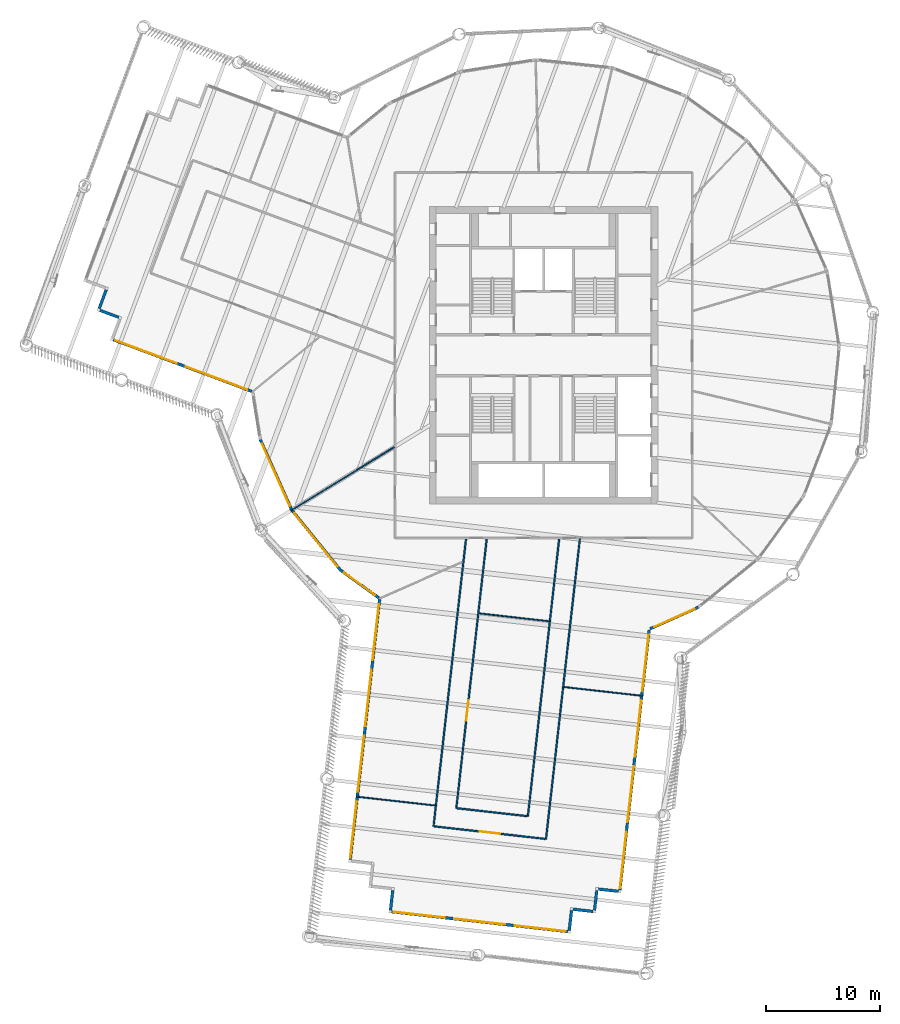
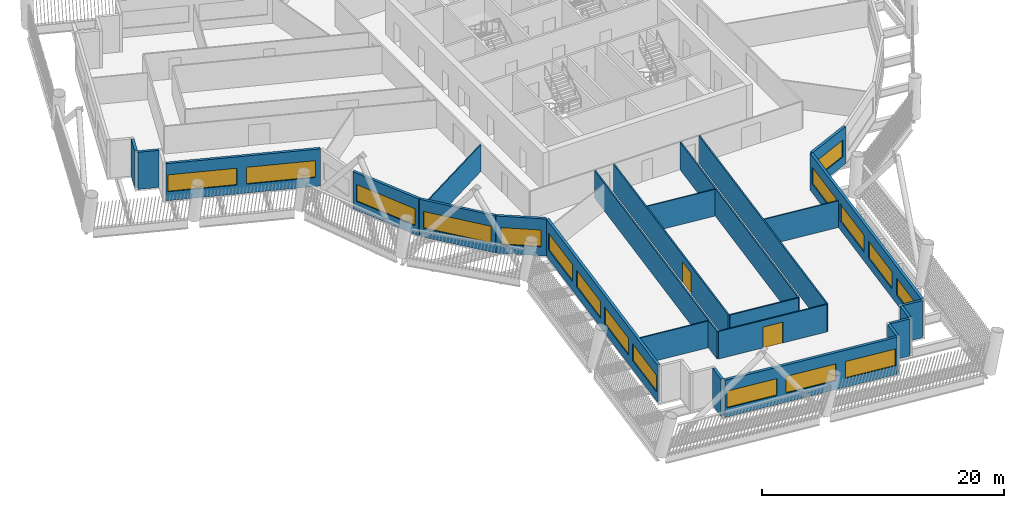
# One storey, part 3 of 22: 25 walls, 17 windows, 2 doors, 19 openings.
"""IFC4 building model written with IfcOpenShell, lengths in metres."""

import ifcopenshell
import ifcopenshell.guid

model = None  # the IFC model being written
_history = None  # IfcOwnerHistory: only IFC2X3 demands one
_inside = {}  # id of a spatial element -> (the spatial element, [elements in it])
_under = {}  # id of a project, library or spatial element -> (it, [spatial elements below it])
_declared = {}  # id of a project -> (the project, [libraries it declares])
_typed = {}  # id of a type object -> (the type object, [elements of that type])
_made_of = {}  # id of a material, layer set ... -> (it, [elements and type objects made of it])


def new_model(schema):
    """Start an empty IFC model of exactly this schema.

    Asked for "IFC4X3", IfcOpenShell would pick the latest addendum, in which some entities
    have other attributes; the version numbers below select the first issue.
    IFC2X3 requires an IfcOwnerHistory on every rooted entity: one is made here for all.
    """
    global model, _history
    if schema == "IFC4X3":
        model = ifcopenshell.file(schema_version=(4, 3, 0, 0))
    else:
        model = ifcopenshell.file(schema=schema)
    _inside.clear()
    _under.clear()
    _declared.clear()
    _typed.clear()
    _made_of.clear()
    _history = None
    if model.schema == "IFC2X3":
        org = make("IfcOrganization", Name="unknown")
        user = make(
            "IfcPersonAndOrganization",
            ThePerson=make("IfcPerson", FamilyName="unknown"),
            TheOrganization=org,
        )
        app = make(
            "IfcApplication",
            ApplicationDeveloper=org,
            Version="unknown",
            ApplicationFullName="unknown",
            ApplicationIdentifier="unknown",
        )
        _history = make(
            "IfcOwnerHistory",
            OwningUser=user,
            OwningApplication=app,
            ChangeAction="ADDED",
            CreationDate=0,
        )
    return model


def make(cls, **values):
    """One entity of the class cls with the attributes given. An attribute that is None is left unset."""
    return model.create_entity(
        cls, **{name: value for name, value in values.items() if value is not None}
    )


def rooted(cls, **values):
    """An entity with a GlobalId (a new one), such as an element, a storey or a relation."""
    return make(cls, GlobalId=ifcopenshell.guid.new(), OwnerHistory=_history, **values)


def si_unit(unit_type, name, prefix=None):
    """IfcSIUnit, for example si_unit("LENGTHUNIT", "METRE", prefix="MILLI")."""
    return make("IfcSIUnit", UnitType=unit_type, Prefix=prefix, Name=name)


def assignment(units):
    """IfcUnitAssignment: the units of a project."""
    return None if units is None else make("IfcUnitAssignment", Units=units)


def point(xyz):
    """IfcCartesianPoint."""
    return None if xyz is None else make("IfcCartesianPoint", Coordinates=xyz)


def direction(xyz):
    """IfcDirection."""
    return None if xyz is None else make("IfcDirection", DirectionRatios=xyz)


def frame(location, z_axis=None, x_axis=None):
    """IfcAxis2Placement3D, a coordinate frame: its origin and axes. An axis left out is left unset."""
    return make(
        "IfcAxis2Placement3D",
        Location=point(location),
        Axis=direction(z_axis),
        RefDirection=direction(x_axis),
    )


def frame_2d(location, x_axis=None):
    """IfcAxis2Placement2D, a coordinate frame in the plane: its origin and x axis."""
    return make(
        "IfcAxis2Placement2D", Location=point(location), RefDirection=direction(x_axis)
    )


def origin():
    """The frame at (0, 0, 0) with its axes left unset."""
    return frame((0.0, 0.0, 0.0))


def place(relative_to, where):
    """IfcLocalPlacement: puts the frame where relative to a parent placement (None: the world)."""
    return make(
        "IfcLocalPlacement", PlacementRelTo=relative_to, RelativePlacement=where
    )


def context(
    kind, dimensions, precision=None, world=None, true_north=None, identifier=None
):
    """IfcGeometricRepresentationContext, for example the 3D "Model" context."""
    return make(
        "IfcGeometricRepresentationContext",
        ContextIdentifier=identifier,
        ContextType=kind,
        CoordinateSpaceDimension=dimensions,
        Precision=precision,
        WorldCoordinateSystem=world,
        TrueNorth=true_north,
    )


def subcontext(parent, identifier, kind, view, scale=None):
    """IfcGeometricRepresentationSubContext, for example "Body" below "Model"."""
    return make(
        "IfcGeometricRepresentationSubContext",
        ContextIdentifier=identifier,
        ContextType=kind,
        ParentContext=parent,
        TargetScale=scale,
        TargetView=view,
    )


def project(units=None, contexts=None):
    """IfcProject with its units and contexts."""
    return rooted(
        "IfcProject",
        Name="project",
        RepresentationContexts=contexts,
        UnitsInContext=assignment(units),
    )


def spatial(cls, under=None, at=None, **own):
    """A site, building, storey or space (cls), placed at a placement, below another one or the project."""
    s = rooted(cls, ObjectPlacement=at, **own)
    if under is not None:
        _under.setdefault(under.id(), (under, []))[1].append(s)
    return s


def profile(cls, at=None, kind="AREA", **sizes):
    """A parametric profile (cls). Its sizes go by their IFC names, for example OverallWidth=200.0."""
    return make(cls, ProfileType=kind, Position=at, **sizes)


def rectangle(**sizes):
    """IfcRectangleProfileDef."""
    return profile("IfcRectangleProfileDef", **sizes)


def extrude(swept, where, along, depth):
    """IfcExtrudedAreaSolid: the profile swept, set in the frame where, extruded along a direction by depth."""
    return make(
        "IfcExtrudedAreaSolid",
        SweptArea=swept,
        Position=where,
        ExtrudedDirection=direction(along),
        Depth=depth,
    )


def shape(context_of_items, identifier, shape_type, items):
    """IfcShapeRepresentation: the items that make up one representation, for example the "Body"."""
    return make(
        "IfcShapeRepresentation",
        ContextOfItems=context_of_items,
        RepresentationIdentifier=identifier,
        RepresentationType=shape_type,
        Items=items,
    )


def material(Name=None, Category=None):
    """IfcMaterial."""
    return make("IfcMaterial", Name=Name, Category=Category)


def layer(
    of_material, thickness, ventilated=None, Name=None, Category=None, Priority=None
):
    """IfcMaterialLayer: one layer of a wall or slab, of a material (None: an air gap)."""
    return make(
        "IfcMaterialLayer",
        Material=of_material,
        LayerThickness=thickness,
        IsVentilated=ventilated,
        Name=Name,
        Category=Category,
        Priority=Priority,
    )


def layer_set(layers, Name=None):
    """IfcMaterialLayerSet."""
    return make("IfcMaterialLayerSet", MaterialLayers=layers, LayerSetName=Name)


def made_of(thing, what):
    """Note that an element or type object is made of a material, layer set ...; save() writes the relation."""
    if what is not None:
        _made_of.setdefault(what.id(), (what, []))[1].append(thing)
    return thing


def type_object(cls, material=None, **own):
    """A type object (cls), such as IfcWallType, which elements share."""
    return made_of(rooted(cls, **own), material)


def element(
    cls,
    number,
    at=None,
    inside=None,
    cuts=None,
    type_object=None,
    material=None,
    context=None,
    identifier="Body",
    shape_type=None,
    held_by="IfcProductDefinitionShape",
    body=None,
    shapes=None,
    **own,
):
    """One element of the class cls, such as IfcWall. Its Tag is "e" and its number.

    at: its placement. inside: the storey or other place that contains it. cuts: it is an
    opening in that element (IfcRelVoidsElement). A single representation is given by context,
    identifier, shape_type and body (its items); several are given by shapes. held_by: the class
    of the entity that holds the representations. save() writes the other relations.
    """
    e = rooted(cls, Tag="e%d" % number, ObjectPlacement=at, **own)
    if body is not None:
        shapes = [shape(context, identifier, shape_type, body)]
    if shapes is not None:
        e.Representation = make(held_by, Representations=shapes)
    if inside is not None:
        _inside.setdefault(inside.id(), (inside, []))[1].append(e)
    if cuts is not None:
        rooted(
            "IfcRelVoidsElement", RelatingBuildingElement=cuts, RelatedOpeningElement=e
        )
    if type_object is not None:
        _typed.setdefault(type_object.id(), (type_object, []))[1].append(e)
    return made_of(e, material)


def fill(opening, filler):
    """IfcRelFillsElement: the door or window that sits in an opening."""
    return rooted(
        "IfcRelFillsElement",
        RelatingOpeningElement=opening,
        RelatedBuildingElement=filler,
    )


def aggregate(whole, parts):
    """IfcRelAggregates: a whole, such as a stair, and the parts it consists of."""
    return rooted("IfcRelAggregates", RelatingObject=whole, RelatedObjects=parts)


def save(model, path):
    """Write the relations noted so far, then the file.

    IfcRelAggregates (storeys below a building ...), IfcRelContainedInSpatialStructure (elements
    in a storey), IfcRelDefinesByType, IfcRelAssociatesMaterial and IfcRelDeclares: one each for
    every whole, place, type object, material and project.
    """
    for whole, parts in _under.values():
        aggregate(whole, parts)
    for where, things in _inside.values():
        rooted(
            "IfcRelContainedInSpatialStructure",
            RelatedElements=things,
            RelatingStructure=where,
        )
    for kind, things in _typed.values():
        rooted("IfcRelDefinesByType", RelatedObjects=things, RelatingType=kind)
    for what, things in _made_of.values():
        rooted("IfcRelAssociatesMaterial", RelatedObjects=things, RelatingMaterial=what)
    for by, libraries in _declared.values():
        rooted("IfcRelDeclares", RelatingContext=by, RelatedDefinitions=libraries)
    model.write(path)


model = new_model("IFC4")

# Units and contexts
model_context = context("Model", 3, precision=1e-05, world=origin(), true_north=direction((0.0, 1.0)))
body_context = subcontext(model_context, "Body", "Model", "MODEL_VIEW")
ifc_project = project(units=[si_unit("LENGTHUNIT", "METRE"), si_unit("AREAUNIT", "SQUARE_METRE"), si_unit("VOLUMEUNIT", "CUBIC_METRE"), si_unit("PLANEANGLEUNIT", "RADIAN"), si_unit("MASSUNIT", "GRAM", prefix="KILO")], contexts=[model_context])

# Site, building, storey
site_placement = place(None, origin())
site = spatial("IfcSite", under=ifc_project, at=site_placement, CompositionType="ELEMENT")
building_placement = place(site_placement, origin())
building = spatial("IfcBuilding", under=site, at=building_placement, Name="Tarsis Ring Headquarters", CompositionType="ELEMENT")
storey_placement = place(building_placement, frame((0.0, 0.0, 200.39990234375)))
storey = spatial("IfcBuildingStorey", under=building, at=storey_placement, Name="L46", CompositionType="ELEMENT", Elevation=200.39990234375)

# Walls
ifc_material_1 = material(Name="Gypsum board on steel studs", Category="steel")
ifc_layer_1 = layer(ifc_material_1, 0.10009765625)
ifc_layer_set_1 = layer_set([ifc_layer_1], Name="FL partition 100 unrated")
wall_type_1 = type_object("IfcWallType", Name="FL partition 100 unrated", PredefinedType="PARTITIONING", material=ifc_layer_set_1)
wall_1_placement = place(storey_placement, frame((-22.110107421875, -13.580810546875, 0.0), z_axis=(0.0, 0.0, 1.0), x_axis=(0.852098434512, 0.52338156053, 0.0)))
element("IfcWall", 1, at=wall_1_placement, inside=storey, type_object=wall_type_1, Name="Partition PW3", PredefinedType="PARTITIONING", context=body_context, shape_type="SweptSolid", body=[
    extrude(rectangle(XDim=10.601318359375, YDim=0.10009765625, at=frame_2d((5.30078125, 0.0))), origin(), (0.0, 0.0, 1.0), 2.7001953125),
])
wall_2_placement = place(storey_placement, frame((1.77587890625, -29.022216796875, 0.0), z_axis=(0.0, 0.0, 1.0), x_axis=(0.99368932109, -0.112167433557, 0.0)))
element("IfcWall", 2, at=wall_2_placement, inside=storey, type_object=wall_type_1, Name="Partition PW3", PredefinedType="PARTITIONING", context=body_context, shape_type="SweptSolid", body=[
    extrude(rectangle(XDim=6.93017578125, YDim=0.10009765625, at=frame_2d((3.465087890625, 0.0))), origin(), (0.0, 0.0, 1.0), 2.7001953125),
])
wall_3_placement = place(storey_placement, frame((-16.384521484375, -38.615966796875, 0.0), z_axis=(0.0, 0.0, 1.0), x_axis=(0.993688877839, -0.112171360244, 0.0)))
element("IfcWall", 3, at=wall_3_placement, inside=storey, type_object=wall_type_1, Name="Partition PW3", PredefinedType="PARTITIONING", context=body_context, shape_type="SweptSolid", body=[
    extrude(rectangle(XDim=6.929931640625, YDim=0.10009765625, at=frame_2d((3.46484375, 0.0))), origin(), (0.0, 0.0, 1.0), 2.7001953125),
])
wall_4_placement = place(storey_placement, frame((-5.648193359375, -22.5791015625, 0.0), z_axis=(0.0, 0.0, 1.0), x_axis=(0.993689859508, -0.112162663625, 0.0)))
element("IfcWall", 4, at=wall_4_placement, inside=storey, type_object=wall_type_1, Name="Partition PW3", PredefinedType="PARTITIONING", context=body_context, shape_type="SweptSolid", body=[
    extrude(rectangle(XDim=6.159912109375, YDim=0.10009765625, at=frame_2d((3.080078125, 0.0))), origin(), (0.0, 0.0, 1.0), 2.7001953125),
])
ifc_layer_2 = layer(ifc_material_1, 0.125)
ifc_layer_set_2 = layer_set([ifc_layer_2], Name="FL partition 125 EI 60 H2770")
wall_type_2 = type_object("IfcWallType", Name="FL partition 125 EI 60 H2770", PredefinedType="PARTITIONING", material=ifc_layer_set_2)
wall_5_placement = place(storey_placement, frame((0.20458984375, -42.320068359375, 0.0), z_axis=(0.0, 0.0, 1.0), x_axis=(0.112156233288, 0.99369058531, 0.0)))
element("IfcWall", 5, at=wall_5_placement, inside=storey, type_object=wall_type_2, Name="Partition PW1", PredefinedType="PARTITIONING", context=body_context, shape_type="SweptSolid", body=[
    extrude(rectangle(XDim=26.4873046875, YDim=0.125, at=frame_2d((13.24365234375, 0.0))), origin(), (0.0, 0.0, 1.0), 2.77001953125),
])
wall_6_placement = place(storey_placement, frame((-9.633056640625, -41.209716796875, 0.0), z_axis=(0.0, 0.0, 1.0), x_axis=(0.112160929095, 0.993690055291, 0.0)))
element("IfcWall", 6, at=wall_6_placement, inside=storey, type_object=wall_type_2, Name="Partition PW1", PredefinedType="PARTITIONING", context=body_context, shape_type="SweptSolid", body=[
    extrude(rectangle(XDim=25.2998046875, YDim=0.125, at=frame_2d((12.64990234375, 0.0))), origin(), (0.0, 0.0, 1.0), 2.77001953125),
])
wall_7_placement = place(storey_placement, frame((-1.382080078125, -40.32958984375, 0.0), z_axis=(0.0, 0.0, 1.0), x_axis=(0.11216001785, 0.993690158146, 0.0)))
element("IfcWall", 7, at=wall_7_placement, inside=storey, type_object=wall_type_2, Name="Partition PW1", PredefinedType="PARTITIONING", context=body_context, shape_type="SweptSolid", body=[
    extrude(rectangle(XDim=24.4140625, YDim=0.125, at=frame_2d((12.20703125, 0.0))), origin(), (0.0, 0.0, 1.0), 2.77001953125),
])

# Wall, opening, door
wall_8_placement = place(storey_placement, frame((-7.642333984375, -39.622802734375, 0.0), z_axis=(0.0, 0.0, 1.0), x_axis=(0.112157628672, 0.993690427815, 0.0)))
wall_8 = element("IfcWall", 8, at=wall_8_placement, inside=storey, type_object=wall_type_2, Name="Partition PW1", PredefinedType="PARTITIONING", context=body_context, shape_type="SweptSolid", body=[
    extrude(rectangle(XDim=23.702880859375, YDim=0.125, at=frame_2d((11.8515625, 0.0))), origin(), (0.0, 0.0, 1.0), 2.77001953125),
])
opening_1_placement = place(wall_8_placement, frame((7.67822265625, 0.0, 0.0)))
opening_1 = element("IfcOpeningElement", 9, at=opening_1_placement, cuts=wall_8, Name="Opening D46.16", PredefinedType="OPENING", context=body_context, shape_type="SweptSolid", body=[
    extrude(rectangle(XDim=1.800048828125, YDim=2.10009765625, at=frame_2d((0.89990234375, 1.050048828125))), frame((0.0, 0.072509765625, 0.0), z_axis=(0.0, -1.0, 0.0), x_axis=(1.0, 0.0, 0.0)), (0.0, 0.0, 1.0), 0.14501953125),
])
ifc_material_2 = material(Name="Fire-rated timber door leaf in steel frame", Category="steel")
door_type = type_object("IfcDoorType", Name="FL door FD60-1800", OperationType="DOUBLE_DOOR_SINGLE_SWING", PredefinedType="DOOR", material=ifc_material_2)
door_1_placement = place(opening_1_placement, origin())
door_1 = element("IfcDoor", 10, at=door_1_placement, inside=storey, type_object=door_type, Name="Door D46.16", OperationType="DOUBLE_DOOR_SINGLE_SWING", OverallHeight=2.10009765625, OverallWidth=1.800048828125, PredefinedType="DOOR", context=body_context, shape_type="SweptSolid", body=[
    extrude(rectangle(XDim=1.800048828125, YDim=2.10009765625, at=frame_2d((0.89990234375, 1.050048828125))), frame((0.0, 0.02490234375, 0.0), z_axis=(0.0, -1.0, 0.0), x_axis=(1.0, 0.0, 0.0)), (0.0, 0.0, 1.0), 0.050048828125),
])
fill(opening_1, door_1)

wall_9_placement = place(storey_placement, frame((-9.5732421875, -41.21630859375, 0.0), z_axis=(0.0, 0.0, 1.0), x_axis=(0.993690135159, -0.112160221506, 0.0)))
wall_9 = element("IfcWall", 11, at=wall_9_placement, inside=storey, type_object=wall_type_2, Name="Partition PW1", PredefinedType="PARTITIONING", context=body_context, shape_type="SweptSolid", body=[
    extrude(rectangle(XDim=9.780029296875, YDim=0.125, at=frame_2d((4.89013671875, 0.0))), origin(), (0.0, 0.0, 1.0), 2.77001953125),
])
opening_2_placement = place(wall_9_placement, frame((3.989990234375, 0.0, 0.0)))
opening_2 = element("IfcOpeningElement", 12, at=opening_2_placement, cuts=wall_9, Name="Opening D46.11", PredefinedType="OPENING", context=body_context, shape_type="SweptSolid", body=[
    extrude(rectangle(XDim=1.800048828125, YDim=2.10009765625, at=frame_2d((0.89990234375, 1.050048828125))), frame((0.0, 0.072509765625, 0.0), z_axis=(0.0, -1.0, 0.0), x_axis=(1.0, 0.0, 0.0)), (0.0, 0.0, 1.0), 0.14501953125),
])
door_2_placement = place(opening_2_placement, origin())
door_2 = element("IfcDoor", 13, at=door_2_placement, inside=storey, type_object=door_type, Name="Door D46.11", OperationType="DOUBLE_DOOR_SINGLE_SWING", OverallHeight=2.10009765625, OverallWidth=1.800048828125, PredefinedType="DOOR", context=body_context, shape_type="SweptSolid", body=[
    extrude(rectangle(XDim=1.800048828125, YDim=2.10009765625, at=frame_2d((0.89990234375, 1.050048828125))), frame((0.0, 0.02490234375, 0.0), z_axis=(0.0, -1.0, 0.0), x_axis=(1.0, 0.0, 0.0)), (0.0, 0.0, 1.0), 0.050048828125),
])
fill(opening_2, door_2)

# Wall
wall_10_placement = place(storey_placement, frame((-7.582763671875, -39.629638671875, 0.0), z_axis=(0.0, 0.0, 1.0), x_axis=(0.993690488559, -0.112157090487, 0.0)))
element("IfcWall", 14, at=wall_10_placement, inside=storey, type_object=wall_type_2, Name="Partition PW1", PredefinedType="PARTITIONING", context=body_context, shape_type="SweptSolid", body=[
    extrude(rectangle(XDim=6.179931640625, YDim=0.125, at=frame_2d((3.08984375, 0.0))), origin(), (0.0, 0.0, 1.0), 2.77001953125),
])

# Wall, openings, windows
ifc_material_3 = material(Name="Terracotta clad insulated panel wall", Category="masonry")
ifc_layer_3 = layer(ifc_material_3, 0.25)
ifc_layer_set_3 = layer_set([ifc_layer_3], Name="Facade wall terracotta panel 250")
wall_type_3 = type_object("IfcWallType", Name="Facade wall terracotta panel 250", PredefinedType="STANDARD", material=ifc_layer_set_3)
wall_11_placement = place(storey_placement, frame((-37.646240234375, 1.357421875, 0.0), z_axis=(0.0, 0.0, 1.0), x_axis=(0.937038477855, -0.349226131637, 0.0)))
wall_11 = element("IfcWall", 15, at=wall_11_placement, inside=storey, type_object=wall_type_3, Name="External wall L46-01", PredefinedType="STANDARD", context=body_context, shape_type="SweptSolid", body=[
    extrude(rectangle(XDim=12.921875, YDim=0.25, at=frame_2d((6.4609375, 0.0))), origin(), (0.0, 0.0, 1.0), 3.739990234375),
])
opening_3_placement = place(wall_11_placement, frame((0.16796875, 0.0, 0.89990234375)))
opening_3 = element("IfcOpeningElement", 16, at=opening_3_placement, cuts=wall_11, Name="Opening WN06", PredefinedType="OPENING", context=body_context, shape_type="SweptSolid", body=[
    extrude(rectangle(XDim=5.75, YDim=1.699951171875, at=frame_2d((2.875, 0.85009765625))), frame((0.0, 0.135009765625, 0.0), z_axis=(0.0, -1.0, 0.0), x_axis=(1.0, 0.0, 0.0)), (0.0, 0.0, 1.0), 0.27001953125),
])
opening_4_placement = place(wall_11_placement, frame((6.75390625, 0.0, 0.89990234375)))
opening_4 = element("IfcOpeningElement", 17, at=opening_4_placement, cuts=wall_11, Name="Opening WN06", PredefinedType="OPENING", context=body_context, shape_type="SweptSolid", body=[
    extrude(rectangle(XDim=5.75, YDim=1.699951171875, at=frame_2d((2.875, 0.85009765625))), frame((0.0, 0.135009765625, 0.0), z_axis=(0.0, -1.0, 0.0), x_axis=(1.0, 0.0, 0.0)), (0.0, 0.0, 1.0), 0.27001953125),
])
ifc_material_4 = material(Name="Aluminium framed double glazing", Category="aluminium")
window_type_1 = type_object("IfcWindowType", Name="Facade window 5750 x 1700", PartitioningType="SINGLE_PANEL", PredefinedType="WINDOW", material=ifc_material_4)
window_1_placement = place(opening_3_placement, origin())
window_1 = element("IfcWindow", 18, at=window_1_placement, inside=storey, type_object=window_type_1, Name="Window L46-01.1", OverallHeight=1.699951171875, OverallWidth=5.75, PartitioningType="SINGLE_PANEL", PredefinedType="WINDOW", context=body_context, shape_type="SweptSolid", body=[
    extrude(rectangle(XDim=5.75, YDim=1.699951171875, at=frame_2d((2.875, 0.85009765625))), frame((0.0, 0.030029296875, 0.0), z_axis=(0.0, -1.0, 0.0), x_axis=(1.0, 0.0, 0.0)), (0.0, 0.0, 1.0), 0.06005859375),
])
fill(opening_3, window_1)
window_2_placement = place(opening_4_placement, origin())
window_2 = element("IfcWindow", 19, at=window_2_placement, inside=storey, type_object=window_type_1, Name="Window L46-01.2", OverallHeight=1.699951171875, OverallWidth=5.75, PartitioningType="SINGLE_PANEL", PredefinedType="WINDOW", context=body_context, shape_type="SweptSolid", body=[
    extrude(rectangle(XDim=5.75, YDim=1.699951171875, at=frame_2d((2.875, 0.85009765625))), frame((0.0, 0.030029296875, 0.0), z_axis=(0.0, -1.0, 0.0), x_axis=(1.0, 0.0, 0.0)), (0.0, 0.0, 1.0), 0.06005859375),
])
fill(opening_4, window_2)

# Wall, opening, window
wall_12_placement = place(storey_placement, frame((-24.7939453125, -7.3896484375, 0.0), z_axis=(0.0, 0.0, 1.0), x_axis=(0.407688157678, -0.913121222012, 0.0)))
wall_12 = element("IfcWall", 20, at=wall_12_placement, inside=storey, type_object=wall_type_3, Name="External wall L46-03", PredefinedType="STANDARD", context=body_context, shape_type="SweptSolid", body=[
    extrude(rectangle(XDim=6.721435546875, YDim=0.25, at=frame_2d((3.36083984375, 0.0))), origin(), (0.0, 0.0, 1.0), 3.739990234375),
])
opening_5_placement = place(wall_12_placement, frame((0.3857421875, 0.0, 0.89990234375)))
opening_5 = element("IfcOpeningElement", 21, at=opening_5_placement, cuts=wall_12, Name="Opening WN07", PredefinedType="OPENING", context=body_context, shape_type="SweptSolid", body=[
    extrude(rectangle(XDim=5.949951171875, YDim=1.699951171875, at=frame_2d((2.97509765625, 0.85009765625))), frame((0.0, 0.135009765625, 0.0), z_axis=(0.0, -1.0, 0.0), x_axis=(1.0, 0.0, 0.0)), (0.0, 0.0, 1.0), 0.27001953125),
])
window_type_2 = type_object("IfcWindowType", Name="Facade window 5950 x 1700", PartitioningType="SINGLE_PANEL", PredefinedType="WINDOW", material=ifc_material_4)
window_3_placement = place(opening_5_placement, origin())
window_3 = element("IfcWindow", 22, at=window_3_placement, inside=storey, type_object=window_type_2, Name="Window L46-03.1", OverallHeight=1.699951171875, OverallWidth=5.949951171875, PartitioningType="SINGLE_PANEL", PredefinedType="WINDOW", context=body_context, shape_type="SweptSolid", body=[
    extrude(rectangle(XDim=5.949951171875, YDim=1.699951171875, at=frame_2d((2.97509765625, 0.85009765625))), frame((0.0, 0.030029296875, 0.0), z_axis=(0.0, -1.0, 0.0), x_axis=(1.0, 0.0, 0.0)), (0.0, 0.0, 1.0), 0.06005859375),
])
fill(opening_5, window_3)

wall_13_placement = place(storey_placement, frame((-22.03662109375, -13.554931640625, 0.0), z_axis=(0.0, 0.0, 1.0), x_axis=(0.630141277594, -0.776480502184, 0.0)))
wall_13 = element("IfcWall", 23, at=wall_13_placement, inside=storey, type_object=wall_type_3, Name="External wall L46-04", PredefinedType="STANDARD", context=body_context, shape_type="SweptSolid", body=[
    extrude(rectangle(XDim=6.7216796875, YDim=0.25, at=frame_2d((3.36083984375, 0.0))), origin(), (0.0, 0.0, 1.0), 3.739990234375),
])
opening_6_placement = place(wall_13_placement, frame((0.3857421875, 0.0, 0.89990234375)))
opening_6 = element("IfcOpeningElement", 24, at=opening_6_placement, cuts=wall_13, Name="Opening WN07", PredefinedType="OPENING", context=body_context, shape_type="SweptSolid", body=[
    extrude(rectangle(XDim=5.949951171875, YDim=1.699951171875, at=frame_2d((2.97509765625, 0.85009765625))), frame((0.0, 0.135009765625, 0.0), z_axis=(0.0, -1.0, 0.0), x_axis=(1.0, 0.0, 0.0)), (0.0, 0.0, 1.0), 0.27001953125),
])
window_4_placement = place(opening_6_placement, origin())
window_4 = element("IfcWindow", 25, at=window_4_placement, inside=storey, type_object=window_type_2, Name="Window L46-04.1", OverallHeight=1.699951171875, OverallWidth=5.949951171875, PartitioningType="SINGLE_PANEL", PredefinedType="WINDOW", context=body_context, shape_type="SweptSolid", body=[
    extrude(rectangle(XDim=5.949951171875, YDim=1.699951171875, at=frame_2d((2.97509765625, 0.85009765625))), frame((0.0, 0.030029296875, 0.0), z_axis=(0.0, -1.0, 0.0), x_axis=(1.0, 0.0, 0.0)), (0.0, 0.0, 1.0), 0.06005859375),
])
fill(opening_6, window_4)

wall_14_placement = place(storey_placement, frame((-17.77734375, -18.796630859375, 0.0), z_axis=(0.0, 0.0, 1.0), x_axis=(0.809626489321, -0.586945438512, 0.0)))
wall_14 = element("IfcWall", 26, at=wall_14_placement, inside=storey, type_object=wall_type_3, Name="External wall L46-05", PredefinedType="STANDARD", context=body_context, shape_type="SweptSolid", body=[
    extrude(rectangle(XDim=4.157470703125, YDim=0.25, at=frame_2d((2.07861328125, 0.0))), origin(), (0.0, 0.0, 1.0), 3.739990234375),
])
opening_7_placement = place(wall_14_placement, frame((0.38720703125, 0.0, 0.89990234375)))
opening_7 = element("IfcOpeningElement", 27, at=opening_7_placement, cuts=wall_14, Name="Opening WN01", PredefinedType="OPENING", context=body_context, shape_type="SweptSolid", body=[
    extrude(rectangle(XDim=3.35009765625, YDim=1.699951171875, at=frame_2d((1.675048828125, 0.85009765625))), frame((0.0, 0.135009765625, 0.0), z_axis=(0.0, -1.0, 0.0), x_axis=(1.0, 0.0, 0.0)), (0.0, 0.0, 1.0), 0.27001953125),
])
window_type_3 = type_object("IfcWindowType", Name="Facade window 3350 x 1700", PartitioningType="SINGLE_PANEL", PredefinedType="WINDOW", material=ifc_material_4)
window_5_placement = place(opening_7_placement, origin())
window_5 = element("IfcWindow", 28, at=window_5_placement, inside=storey, type_object=window_type_3, Name="Window L46-05.1", OverallHeight=1.699951171875, OverallWidth=3.35009765625, PartitioningType="SINGLE_PANEL", PredefinedType="WINDOW", context=body_context, shape_type="SweptSolid", body=[
    extrude(rectangle(XDim=3.35009765625, YDim=1.699951171875, at=frame_2d((1.675048828125, 0.85009765625))), frame((0.0, 0.030029296875, 0.0), z_axis=(0.0, -1.0, 0.0), x_axis=(1.0, 0.0, 0.0)), (0.0, 0.0, 1.0), 0.06005859375),
])
fill(opening_7, window_5)

# Wall, openings, windows
wall_15_placement = place(storey_placement, frame((-14.360595703125, -21.35205078125, 0.0), z_axis=(0.0, 0.0, 1.0), x_axis=(-0.112154475566, -0.9936907837, 0.0)))
wall_15 = element("IfcWall", 29, at=wall_15_placement, inside=storey, type_object=wall_type_3, Name="External wall L46-06", PredefinedType="STANDARD", context=body_context, shape_type="SweptSolid", body=[
    extrude(rectangle(XDim=22.921875, YDim=0.25, at=frame_2d((11.4609375, 0.0))), origin(), (0.0, 0.0, 1.0), 3.739990234375),
])
opening_8_placement = place(wall_15_placement, frame((0.42138671875, 0.0, 0.89990234375)))
opening_8 = element("IfcOpeningElement", 30, at=opening_8_placement, cuts=wall_15, Name="Opening WN05", PredefinedType="OPENING", context=body_context, shape_type="SweptSolid", body=[
    extrude(rectangle(XDim=4.949951171875, YDim=1.699951171875, at=frame_2d((2.47509765625, 0.85009765625))), frame((0.0, 0.135009765625, 0.0), z_axis=(0.0, -1.0, 0.0), x_axis=(1.0, 0.0, 0.0)), (0.0, 0.0, 1.0), 0.27001953125),
])
opening_9_placement = place(wall_15_placement, frame((6.214599609375, 0.0, 0.89990234375)))
opening_9 = element("IfcOpeningElement", 31, at=opening_9_placement, cuts=wall_15, Name="Opening WN05", PredefinedType="OPENING", context=body_context, shape_type="SweptSolid", body=[
    extrude(rectangle(XDim=4.949951171875, YDim=1.699951171875, at=frame_2d((2.47509765625, 0.85009765625))), frame((0.0, 0.135009765625, 0.0), z_axis=(0.0, -1.0, 0.0), x_axis=(1.0, 0.0, 0.0)), (0.0, 0.0, 1.0), 0.27001953125),
])
opening_10_placement = place(wall_15_placement, frame((12.007568359375, 0.0, 0.89990234375)))
opening_10 = element("IfcOpeningElement", 32, at=opening_10_placement, cuts=wall_15, Name="Opening WN05", PredefinedType="OPENING", context=body_context, shape_type="SweptSolid", body=[
    extrude(rectangle(XDim=4.949951171875, YDim=1.699951171875, at=frame_2d((2.47509765625, 0.85009765625))), frame((0.0, 0.135009765625, 0.0), z_axis=(0.0, -1.0, 0.0), x_axis=(1.0, 0.0, 0.0)), (0.0, 0.0, 1.0), 0.27001953125),
])
opening_11_placement = place(wall_15_placement, frame((17.800537109375, 0.0, 0.89990234375)))
opening_11 = element("IfcOpeningElement", 33, at=opening_11_placement, cuts=wall_15, Name="Opening WN05", PredefinedType="OPENING", context=body_context, shape_type="SweptSolid", body=[
    extrude(rectangle(XDim=4.949951171875, YDim=1.699951171875, at=frame_2d((2.47509765625, 0.85009765625))), frame((0.0, 0.135009765625, 0.0), z_axis=(0.0, -1.0, 0.0), x_axis=(1.0, 0.0, 0.0)), (0.0, 0.0, 1.0), 0.27001953125),
])
window_type_4 = type_object("IfcWindowType", Name="Facade window 4950 x 1700", PartitioningType="SINGLE_PANEL", PredefinedType="WINDOW", material=ifc_material_4)
window_6_placement = place(opening_8_placement, origin())
window_6 = element("IfcWindow", 34, at=window_6_placement, inside=storey, type_object=window_type_4, Name="Window L46-06.1", OverallHeight=1.699951171875, OverallWidth=4.949951171875, PartitioningType="SINGLE_PANEL", PredefinedType="WINDOW", context=body_context, shape_type="SweptSolid", body=[
    extrude(rectangle(XDim=4.949951171875, YDim=1.699951171875, at=frame_2d((2.47509765625, 0.85009765625))), frame((0.0, 0.030029296875, 0.0), z_axis=(0.0, -1.0, 0.0), x_axis=(1.0, 0.0, 0.0)), (0.0, 0.0, 1.0), 0.06005859375),
])
fill(opening_8, window_6)
window_7_placement = place(opening_9_placement, origin())
window_7 = element("IfcWindow", 35, at=window_7_placement, inside=storey, type_object=window_type_4, Name="Window L46-06.2", OverallHeight=1.699951171875, OverallWidth=4.949951171875, PartitioningType="SINGLE_PANEL", PredefinedType="WINDOW", context=body_context, shape_type="SweptSolid", body=[
    extrude(rectangle(XDim=4.949951171875, YDim=1.699951171875, at=frame_2d((2.47509765625, 0.85009765625))), frame((0.0, 0.030029296875, 0.0), z_axis=(0.0, -1.0, 0.0), x_axis=(1.0, 0.0, 0.0)), (0.0, 0.0, 1.0), 0.06005859375),
])
fill(opening_9, window_7)
window_8_placement = place(opening_10_placement, origin())
window_8 = element("IfcWindow", 36, at=window_8_placement, inside=storey, type_object=window_type_4, Name="Window L46-06.3", OverallHeight=1.699951171875, OverallWidth=4.949951171875, PartitioningType="SINGLE_PANEL", PredefinedType="WINDOW", context=body_context, shape_type="SweptSolid", body=[
    extrude(rectangle(XDim=4.949951171875, YDim=1.699951171875, at=frame_2d((2.47509765625, 0.85009765625))), frame((0.0, 0.030029296875, 0.0), z_axis=(0.0, -1.0, 0.0), x_axis=(1.0, 0.0, 0.0)), (0.0, 0.0, 1.0), 0.06005859375),
])
fill(opening_10, window_8)
window_9_placement = place(opening_11_placement, origin())
window_9 = element("IfcWindow", 37, at=window_9_placement, inside=storey, type_object=window_type_4, Name="Window L46-06.4", OverallHeight=1.699951171875, OverallWidth=4.949951171875, PartitioningType="SINGLE_PANEL", PredefinedType="WINDOW", context=body_context, shape_type="SweptSolid", body=[
    extrude(rectangle(XDim=4.949951171875, YDim=1.699951171875, at=frame_2d((2.47509765625, 0.85009765625))), frame((0.0, 0.030029296875, 0.0), z_axis=(0.0, -1.0, 0.0), x_axis=(1.0, 0.0, 0.0)), (0.0, 0.0, 1.0), 0.06005859375),
])
fill(opening_11, window_9)

# Wall
wall_16_placement = place(storey_placement, frame((-13.209228515625, -46.813720703125, 0.0), z_axis=(0.0, 0.0, 1.0), x_axis=(-0.112161553806, -0.993689984778, 0.0)))
element("IfcWall", 38, at=wall_16_placement, inside=storey, type_object=wall_type_3, Name="External wall L46-10", PredefinedType="STANDARD", context=body_context, shape_type="SweptSolid", body=[
    extrude(rectangle(XDim=1.75, YDim=0.25, at=frame_2d((0.875, 0.0))), origin(), (0.0, 0.0, 1.0), 3.739990234375),
])

# Wall, openings, windows
wall_17_placement = place(storey_placement, frame((-13.295166015625, -48.69091796875, 0.0), z_axis=(0.0, 0.0, 1.0), x_axis=(0.993689754338, -0.112163595363, 0.0)))
wall_17 = element("IfcWall", 39, at=wall_17_placement, inside=storey, type_object=wall_type_3, Name="External wall L46-11", PredefinedType="STANDARD", context=body_context, shape_type="SweptSolid", body=[
    extrude(rectangle(XDim=15.5, YDim=0.25, at=frame_2d((7.75, 0.0))), origin(), (0.0, 0.0, 1.0), 3.739990234375),
])
opening_12_placement = place(wall_17_placement, frame((0.166748046875, 0.0, 0.89990234375)))
opening_12 = element("IfcOpeningElement", 40, at=opening_12_placement, cuts=wall_17, Name="Opening WN04", PredefinedType="OPENING", context=body_context, shape_type="SweptSolid", body=[
    extrude(rectangle(XDim=4.5, YDim=1.699951171875, at=frame_2d((2.25, 0.85009765625))), frame((0.0, 0.135009765625, 0.0), z_axis=(0.0, -1.0, 0.0), x_axis=(1.0, 0.0, 0.0)), (0.0, 0.0, 1.0), 0.27001953125),
])
opening_13_placement = place(wall_17_placement, frame((5.5, 0.0, 0.89990234375)))
opening_13 = element("IfcOpeningElement", 41, at=opening_13_placement, cuts=wall_17, Name="Opening WN04", PredefinedType="OPENING", context=body_context, shape_type="SweptSolid", body=[
    extrude(rectangle(XDim=4.5, YDim=1.699951171875, at=frame_2d((2.25, 0.85009765625))), frame((0.0, 0.135009765625, 0.0), z_axis=(0.0, -1.0, 0.0), x_axis=(1.0, 0.0, 0.0)), (0.0, 0.0, 1.0), 0.27001953125),
])
opening_14_placement = place(wall_17_placement, frame((10.833251953125, 0.0, 0.89990234375)))
opening_14 = element("IfcOpeningElement", 42, at=opening_14_placement, cuts=wall_17, Name="Opening WN04", PredefinedType="OPENING", context=body_context, shape_type="SweptSolid", body=[
    extrude(rectangle(XDim=4.5, YDim=1.699951171875, at=frame_2d((2.25, 0.85009765625))), frame((0.0, 0.135009765625, 0.0), z_axis=(0.0, -1.0, 0.0), x_axis=(1.0, 0.0, 0.0)), (0.0, 0.0, 1.0), 0.27001953125),
])
window_type_5 = type_object("IfcWindowType", Name="Facade window 4500 x 1700", PartitioningType="SINGLE_PANEL", PredefinedType="WINDOW", material=ifc_material_4)
window_10_placement = place(opening_12_placement, origin())
window_10 = element("IfcWindow", 43, at=window_10_placement, inside=storey, type_object=window_type_5, Name="Window L46-11.1", OverallHeight=1.699951171875, OverallWidth=4.5, PartitioningType="SINGLE_PANEL", PredefinedType="WINDOW", context=body_context, shape_type="SweptSolid", body=[
    extrude(rectangle(XDim=4.5, YDim=1.699951171875, at=frame_2d((2.25, 0.85009765625))), frame((0.0, 0.030029296875, 0.0), z_axis=(0.0, -1.0, 0.0), x_axis=(1.0, 0.0, 0.0)), (0.0, 0.0, 1.0), 0.06005859375),
])
fill(opening_12, window_10)
window_11_placement = place(opening_13_placement, origin())
window_11 = element("IfcWindow", 44, at=window_11_placement, inside=storey, type_object=window_type_5, Name="Window L46-11.2", OverallHeight=1.699951171875, OverallWidth=4.5, PartitioningType="SINGLE_PANEL", PredefinedType="WINDOW", context=body_context, shape_type="SweptSolid", body=[
    extrude(rectangle(XDim=4.5, YDim=1.699951171875, at=frame_2d((2.25, 0.85009765625))), frame((0.0, 0.030029296875, 0.0), z_axis=(0.0, -1.0, 0.0), x_axis=(1.0, 0.0, 0.0)), (0.0, 0.0, 1.0), 0.06005859375),
])
fill(opening_13, window_11)
window_12_placement = place(opening_14_placement, origin())
window_12 = element("IfcWindow", 45, at=window_12_placement, inside=storey, type_object=window_type_5, Name="Window L46-11.3", OverallHeight=1.699951171875, OverallWidth=4.5, PartitioningType="SINGLE_PANEL", PredefinedType="WINDOW", context=body_context, shape_type="SweptSolid", body=[
    extrude(rectangle(XDim=4.5, YDim=1.699951171875, at=frame_2d((2.25, 0.85009765625))), frame((0.0, 0.030029296875, 0.0), z_axis=(0.0, -1.0, 0.0), x_axis=(1.0, 0.0, 0.0)), (0.0, 0.0, 1.0), 0.06005859375),
])
fill(opening_14, window_12)

# Walls
wall_18_placement = place(storey_placement, frame((2.2451171875, -50.3193359375, 0.0), z_axis=(0.0, 0.0, 1.0), x_axis=(0.112161553806, 0.993689984778, 0.0)))
element("IfcWall", 46, at=wall_18_placement, inside=storey, type_object=wall_type_3, Name="External wall L46-12", PredefinedType="STANDARD", context=body_context, shape_type="SweptSolid", body=[
    extrude(rectangle(XDim=1.75, YDim=0.25, at=frame_2d((0.875, 0.0))), origin(), (0.0, 0.0, 1.0), 3.739990234375),
])
wall_19_placement = place(storey_placement, frame((2.579833984375, -48.47021484375, 0.0), z_axis=(0.0, 0.0, 1.0), x_axis=(0.993688229417, -0.112177104248, 0.0)))
element("IfcWall", 47, at=wall_19_placement, inside=storey, type_object=wall_type_3, Name="External wall L46-13", PredefinedType="STANDARD", context=body_context, shape_type="SweptSolid", body=[
    extrude(rectangle(XDim=1.749755859375, YDim=0.25, at=frame_2d((0.875, 0.0))), origin(), (0.0, 0.0, 1.0), 3.739990234375),
])
wall_20_placement = place(storey_placement, frame((4.45703125, -48.556396484375, 0.0), z_axis=(0.0, 0.0, 1.0), x_axis=(0.112161553806, 0.993689984778, 0.0)))
element("IfcWall", 48, at=wall_20_placement, inside=storey, type_object=wall_type_3, Name="External wall L46-14", PredefinedType="STANDARD", context=body_context, shape_type="SweptSolid", body=[
    extrude(rectangle(XDim=1.75, YDim=0.25, at=frame_2d((0.875, 0.0))), origin(), (0.0, 0.0, 1.0), 3.739990234375),
])
wall_21_placement = place(storey_placement, frame((4.79150390625, -46.70703125, 0.0), z_axis=(0.0, 0.0, 1.0), x_axis=(0.993688229417, -0.112177104248, 0.0)))
element("IfcWall", 49, at=wall_21_placement, inside=storey, type_object=wall_type_3, Name="External wall L46-15", PredefinedType="STANDARD", context=body_context, shape_type="SweptSolid", body=[
    extrude(rectangle(XDim=1.749755859375, YDim=0.25, at=frame_2d((0.875, 0.0))), origin(), (0.0, 0.0, 1.0), 3.739990234375),
])

# Wall, openings, windows
wall_22_placement = place(storey_placement, frame((6.668701171875, -46.793212890625, 0.0), z_axis=(0.0, 0.0, 1.0), x_axis=(0.112159536598, 0.993690212466, 0.0)))
wall_22 = element("IfcWall", 50, at=wall_22_placement, inside=storey, type_object=wall_type_3, Name="External wall L46-16", PredefinedType="STANDARD", context=body_context, shape_type="SweptSolid", body=[
    extrude(rectangle(XDim=22.9013671875, YDim=0.25, at=frame_2d((11.45068359375, 0.0))), origin(), (0.0, 0.0, 1.0), 3.739990234375),
])
opening_15_placement = place(wall_22_placement, frame((0.1689453125, 0.0, 0.89990234375)))
opening_15 = element("IfcOpeningElement", 51, at=opening_15_placement, cuts=wall_22, Name="Opening WN05", PredefinedType="OPENING", context=body_context, shape_type="SweptSolid", body=[
    extrude(rectangle(XDim=4.949951171875, YDim=1.699951171875, at=frame_2d((2.47509765625, 0.85009765625))), frame((0.0, 0.135009765625, 0.0), z_axis=(0.0, -1.0, 0.0), x_axis=(1.0, 0.0, 0.0)), (0.0, 0.0, 1.0), 0.27001953125),
])
opening_16_placement = place(wall_22_placement, frame((5.956787109375, 0.0, 0.89990234375)))
opening_16 = element("IfcOpeningElement", 52, at=opening_16_placement, cuts=wall_22, Name="Opening WN05", PredefinedType="OPENING", context=body_context, shape_type="SweptSolid", body=[
    extrude(rectangle(XDim=4.949951171875, YDim=1.699951171875, at=frame_2d((2.47509765625, 0.85009765625))), frame((0.0, 0.135009765625, 0.0), z_axis=(0.0, -1.0, 0.0), x_axis=(1.0, 0.0, 0.0)), (0.0, 0.0, 1.0), 0.27001953125),
])
opening_17_placement = place(wall_22_placement, frame((11.74462890625, 0.0, 0.89990234375)))
opening_17 = element("IfcOpeningElement", 53, at=opening_17_placement, cuts=wall_22, Name="Opening WN05", PredefinedType="OPENING", context=body_context, shape_type="SweptSolid", body=[
    extrude(rectangle(XDim=4.949951171875, YDim=1.699951171875, at=frame_2d((2.47509765625, 0.85009765625))), frame((0.0, 0.135009765625, 0.0), z_axis=(0.0, -1.0, 0.0), x_axis=(1.0, 0.0, 0.0)), (0.0, 0.0, 1.0), 0.27001953125),
])
opening_18_placement = place(wall_22_placement, frame((17.532470703125, 0.0, 0.89990234375)))
opening_18 = element("IfcOpeningElement", 54, at=opening_18_placement, cuts=wall_22, Name="Opening WN05", PredefinedType="OPENING", context=body_context, shape_type="SweptSolid", body=[
    extrude(rectangle(XDim=4.949951171875, YDim=1.699951171875, at=frame_2d((2.47509765625, 0.85009765625))), frame((0.0, 0.135009765625, 0.0), z_axis=(0.0, -1.0, 0.0), x_axis=(1.0, 0.0, 0.0)), (0.0, 0.0, 1.0), 0.27001953125),
])
window_13_placement = place(opening_15_placement, origin())
window_13 = element("IfcWindow", 55, at=window_13_placement, inside=storey, type_object=window_type_4, Name="Window L46-16.1", OverallHeight=1.699951171875, OverallWidth=4.949951171875, PartitioningType="SINGLE_PANEL", PredefinedType="WINDOW", context=body_context, shape_type="SweptSolid", body=[
    extrude(rectangle(XDim=4.949951171875, YDim=1.699951171875, at=frame_2d((2.47509765625, 0.85009765625))), frame((0.0, 0.030029296875, 0.0), z_axis=(0.0, -1.0, 0.0), x_axis=(1.0, 0.0, 0.0)), (0.0, 0.0, 1.0), 0.06005859375),
])
fill(opening_15, window_13)
window_14_placement = place(opening_16_placement, origin())
window_14 = element("IfcWindow", 56, at=window_14_placement, inside=storey, type_object=window_type_4, Name="Window L46-16.2", OverallHeight=1.699951171875, OverallWidth=4.949951171875, PartitioningType="SINGLE_PANEL", PredefinedType="WINDOW", context=body_context, shape_type="SweptSolid", body=[
    extrude(rectangle(XDim=4.949951171875, YDim=1.699951171875, at=frame_2d((2.47509765625, 0.85009765625))), frame((0.0, 0.030029296875, 0.0), z_axis=(0.0, -1.0, 0.0), x_axis=(1.0, 0.0, 0.0)), (0.0, 0.0, 1.0), 0.06005859375),
])
fill(opening_16, window_14)
window_15_placement = place(opening_17_placement, origin())
window_15 = element("IfcWindow", 57, at=window_15_placement, inside=storey, type_object=window_type_4, Name="Window L46-16.3", OverallHeight=1.699951171875, OverallWidth=4.949951171875, PartitioningType="SINGLE_PANEL", PredefinedType="WINDOW", context=body_context, shape_type="SweptSolid", body=[
    extrude(rectangle(XDim=4.949951171875, YDim=1.699951171875, at=frame_2d((2.47509765625, 0.85009765625))), frame((0.0, 0.030029296875, 0.0), z_axis=(0.0, -1.0, 0.0), x_axis=(1.0, 0.0, 0.0)), (0.0, 0.0, 1.0), 0.06005859375),
])
fill(opening_17, window_15)
window_16_placement = place(opening_18_placement, origin())
window_16 = element("IfcWindow", 58, at=window_16_placement, inside=storey, type_object=window_type_4, Name="Window L46-16.4", OverallHeight=1.699951171875, OverallWidth=4.949951171875, PartitioningType="SINGLE_PANEL", PredefinedType="WINDOW", context=body_context, shape_type="SweptSolid", body=[
    extrude(rectangle(XDim=4.949951171875, YDim=1.699951171875, at=frame_2d((2.47509765625, 0.85009765625))), frame((0.0, 0.030029296875, 0.0), z_axis=(0.0, -1.0, 0.0), x_axis=(1.0, 0.0, 0.0)), (0.0, 0.0, 1.0), 0.06005859375),
])
fill(opening_18, window_16)

# Wall, opening, window
wall_23_placement = place(storey_placement, frame((9.310546875, -23.936279296875, 0.0), z_axis=(0.0, 0.0, 1.0), x_axis=(0.91312347291, 0.407683116184, 0.0)))
wall_23 = element("IfcWall", 59, at=wall_23_placement, inside=storey, type_object=wall_type_3, Name="External wall L46-17", PredefinedType="STANDARD", context=body_context, shape_type="SweptSolid", body=[
    extrude(rectangle(XDim=4.61767578125, YDim=0.25, at=frame_2d((2.308837890625, 0.0))), origin(), (0.0, 0.0, 1.0), 3.739990234375),
])
opening_19_placement = place(wall_23_placement, frame((0.400390625, 0.0, 0.89990234375)))
opening_19 = element("IfcOpeningElement", 60, at=opening_19_placement, cuts=wall_23, Name="Opening WN02", PredefinedType="OPENING", context=body_context, shape_type="SweptSolid", body=[
    extrude(rectangle(XDim=3.85009765625, YDim=1.699951171875, at=frame_2d((1.925048828125, 0.85009765625))), frame((0.0, 0.135009765625, 0.0), z_axis=(0.0, -1.0, 0.0), x_axis=(1.0, 0.0, 0.0)), (0.0, 0.0, 1.0), 0.27001953125),
])
window_type_6 = type_object("IfcWindowType", Name="Facade window 3850 x 1700", PartitioningType="SINGLE_PANEL", PredefinedType="WINDOW", material=ifc_material_4)
window_17_placement = place(opening_19_placement, origin())
window_17 = element("IfcWindow", 61, at=window_17_placement, inside=storey, type_object=window_type_6, Name="Window L46-17.1", OverallHeight=1.699951171875, OverallWidth=3.85009765625, PartitioningType="SINGLE_PANEL", PredefinedType="WINDOW", context=body_context, shape_type="SweptSolid", body=[
    extrude(rectangle(XDim=3.85009765625, YDim=1.699951171875, at=frame_2d((1.925048828125, 0.85009765625))), frame((0.0, 0.030029296875, 0.0), z_axis=(0.0, -1.0, 0.0), x_axis=(1.0, 0.0, 0.0)), (0.0, 0.0, 1.0), 0.06005859375),
])
fill(opening_19, window_17)

# Walls
for number, where, z_axis, x_axis, name in (
    (62, (-38.2841796875, 5.730712890625, 0.0), (0.0, 0.0, 1.0), (-0.349181082469, -0.937055266057, 0.0), "External wall L46-38"),
    (63, (-38.82177734375, 3.929931640625, 0.0), (0.0, 0.0, 1.0), (0.937055266057, -0.349181082469, 0.0), "External wall L46-39"),
):
    element("IfcWall", number, at=place(storey_placement, frame(where, z_axis=z_axis, x_axis=x_axis)), inside=storey, type_object=wall_type_3, Name=name, PredefinedType="STANDARD", context=body_context, shape_type="SweptSolid", body=[
        extrude(rectangle(XDim=1.75, YDim=0.25, at=frame_2d((0.875, 0.0))), origin(), (0.0, 0.0, 1.0), 3.739990234375),
    ])

save(model, "model.ifc")
